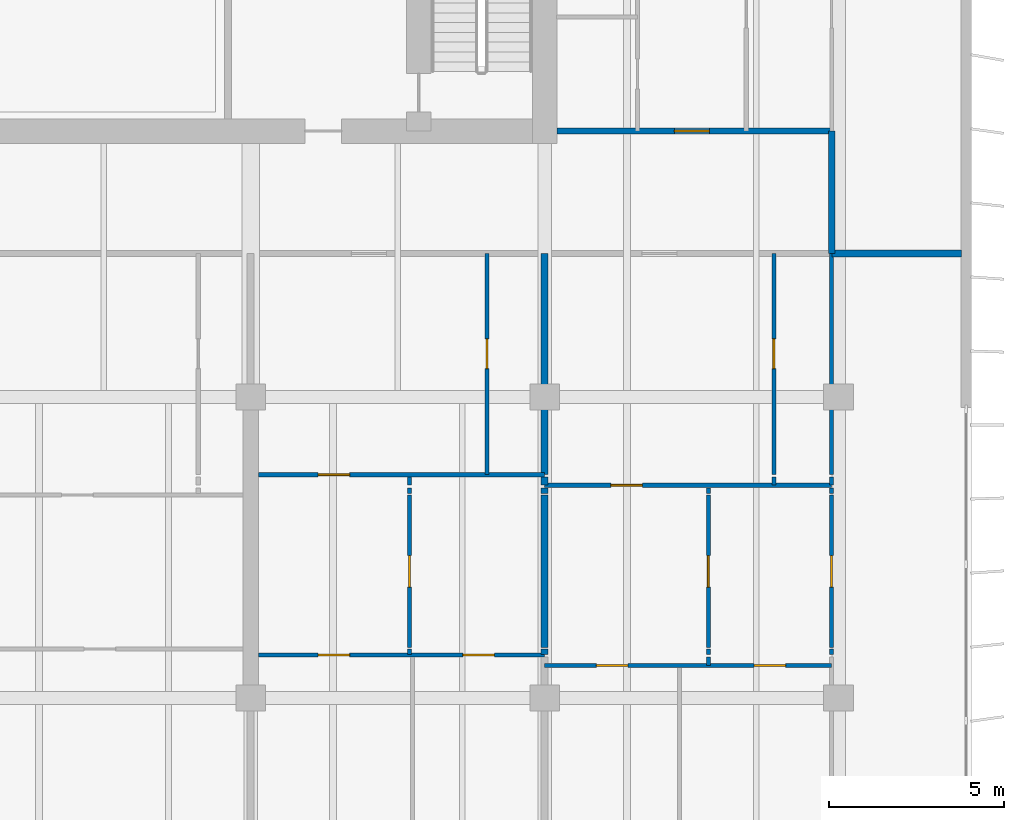
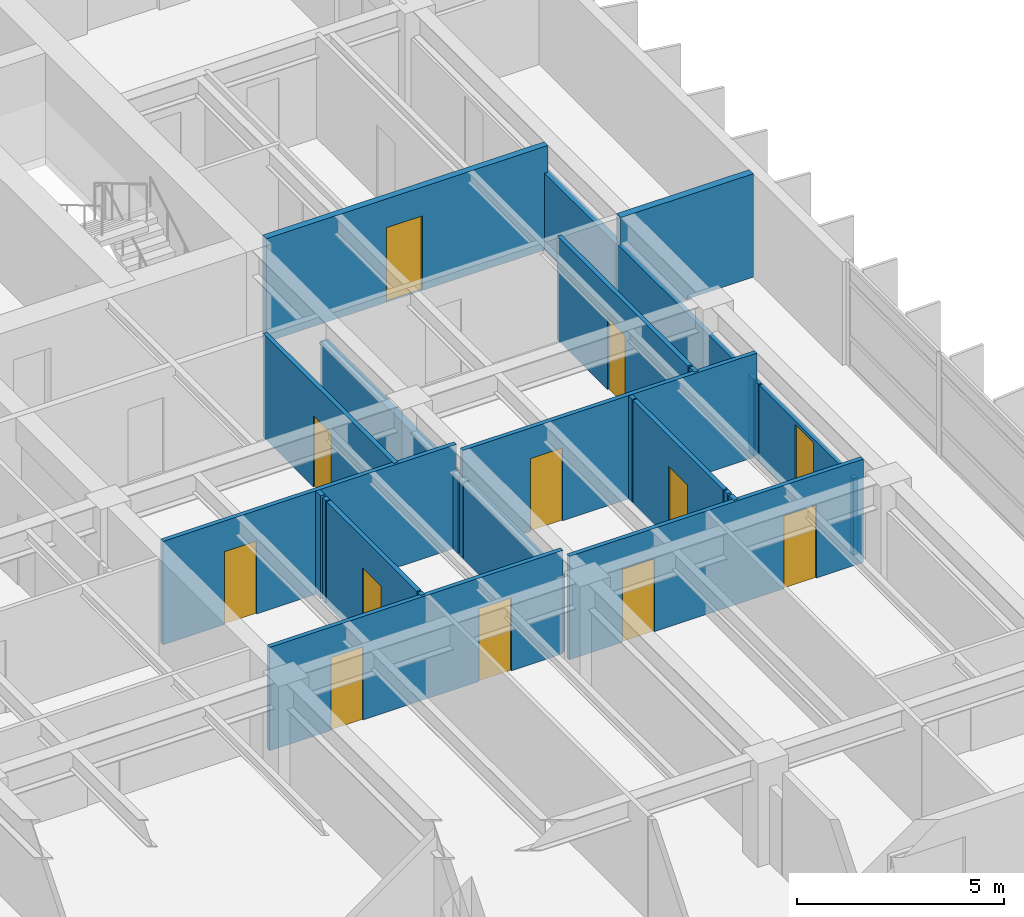
# One storey, part 12 of 19: 28 walls, 12 doors, 12 openings.
"""IFC4 building model written with IfcOpenShell, lengths in metres."""

from ifc_helpers import new_model, si_unit, direction, frame, frame_2d, origin, place, context, subcontext, project, spatial, rectangle, extrude, material, layer, layer_set, type_object, element, fill, save


model = new_model("IFC4")

# Units and contexts
model_context = context("Model", 3, precision=1e-05, world=origin(), true_north=direction((0.0, 1.0)))
body_context = subcontext(model_context, "Body", "Model", "MODEL_VIEW")
ifc_project = project(units=[si_unit("LENGTHUNIT", "METRE"), si_unit("AREAUNIT", "SQUARE_METRE"), si_unit("VOLUMEUNIT", "CUBIC_METRE"), si_unit("PLANEANGLEUNIT", "RADIAN"), si_unit("MASSUNIT", "GRAM", prefix="KILO")], contexts=[model_context])

# Site, building, storey
site_placement = place(None, origin())
site = spatial("IfcSite", under=ifc_project, at=site_placement, CompositionType="ELEMENT")
building_placement = place(site_placement, origin())
building = spatial("IfcBuilding", under=site, at=building_placement, Name="Caelmar Bay Residences", CompositionType="ELEMENT")
storey_placement = place(building_placement, frame((0.0, 0.0, 195.0)))
storey = spatial("IfcBuildingStorey", under=building, at=storey_placement, Name="L54", CompositionType="ELEMENT", Elevation=195.0)

# Wall
ifc_material_1 = material(Name="Double-stud acoustic fire-rated gypsum partition 180 mm")
ifc_layer_1 = layer(ifc_material_1, 0.179931640625)
ifc_layer_set_1 = layer_set([ifc_layer_1], Name="Double-stud acoustic fire-rated gypsum partition 180 mm")
wall_type_1 = type_object("IfcWallType", Name="W-COR-200", PredefinedType="PARTITIONING", material=ifc_layer_set_1)
wall_1_placement = place(storey_placement, frame((67.699951171875, 33.5048828125, 0.0), z_axis=(0.0, 0.0, 1.0), x_axis=(0.0, 1.0, 0.0)))
element("IfcWall", 1, at=wall_1_placement, inside=storey, type_object=wall_type_1, Name="L54 Partition Wall V097", PredefinedType="PARTITIONING", context=body_context, shape_type="SweptSolid", body=[
    extrude(rectangle(XDim=3.4951171875, YDim=0.179931640625, at=frame_2d((1.74755859375, 0.0))), origin(), (0.0, 0.0, 1.0), 2.262939453125),
])

# Wall, opening, door
wall_2_placement = place(storey_placement, frame((59.85498046875, 37.0, 0.0), z_axis=(0.0, 0.0, 1.0), x_axis=(1.0, 0.0, 0.0)))
wall_2 = element("IfcWall", 2, at=wall_2_placement, inside=storey, type_object=wall_type_1, Name="L54 Partition Wall H121", PredefinedType="PARTITIONING", context=body_context, shape_type="SweptSolid", body=[
    extrude(rectangle(XDim=7.844970703125, YDim=0.179931640625, at=frame_2d((3.92236328125, 0.0))), origin(), (0.0, 0.0, 1.0), 3.050048828125),
])
opening_1_placement = place(wall_2_placement, frame((3.34912109375, 0.0, 0.0)))
opening_1 = element("IfcOpeningElement", 3, at=opening_1_placement, cuts=wall_2, Name="Opening D-L54-167", PredefinedType="OPENING", context=body_context, shape_type="SweptSolid", body=[
    extrude(rectangle(XDim=1.0, YDim=2.199951171875, at=frame_2d((0.5, 1.10009765625))), frame((0.0, 0.099853515625, 0.0), z_axis=(0.0, -1.0, 0.0), x_axis=(1.0, 0.0, 0.0)), (0.0, 0.0, 1.0), 0.199951171875),
])
ifc_material_2 = material(Name="Fire-rated steel and walnut architectural door assembly", Category="steel")
ifc_layer_2 = layer(ifc_material_2, 0.050048828125)
ifc_layer_set_2 = layer_set([ifc_layer_2], Name="Fire-rated steel and walnut architectural door assembly")
door_type_1 = type_object("IfcDoorType", Name="D-UNIT-1000", OperationType="NOTDEFINED", PredefinedType="DOOR", material=ifc_layer_set_2)
door_1_placement = place(opening_1_placement, origin())
door_1 = element("IfcDoor", 4, at=door_1_placement, inside=storey, type_object=door_type_1, Name="L54 Residence EA Kitchen Door", OperationType="SINGLE_SWING_LEFT", OverallHeight=2.199951171875, OverallWidth=1.0, PredefinedType="DOOR", context=body_context, shape_type="SweptSolid", body=[
    extrude(rectangle(XDim=1.0, YDim=2.199951171875, at=frame_2d((0.5, 1.10009765625))), frame((0.0, 0.02490234375, 0.0), z_axis=(0.0, -1.0, 0.0), x_axis=(1.0, 0.0, 0.0)), (0.0, 0.0, 1.0), 0.050048828125),
])
fill(opening_1, door_1)

# Wall
ifc_material_3 = material(Name="Acoustic metal-stud gypsum partition 120 mm")
ifc_layer_3 = layer(ifc_material_3, 0.1201171875)
ifc_layer_set_3 = layer_set([ifc_layer_3], Name="Acoustic metal-stud gypsum partition 120 mm")
wall_type_2 = type_object("IfcWallType", Name="W-PRT-120", PredefinedType="PARTITIONING", material=ifc_layer_set_3)
wall_3_placement = place(storey_placement, frame((55.635986328125, 22.0400390625, 0.0), z_axis=(0.0, 0.0, 1.0), x_axis=(0.0, 1.0, 0.0)))
element("IfcWall", 5, at=wall_3_placement, inside=storey, type_object=wall_type_2, Name="L54 Partition Wall V066", PredefinedType="PARTITIONING", context=body_context, shape_type="SweptSolid", body=[
    extrude(rectangle(XDim=0.159912109375, YDim=0.1201171875, at=frame_2d((0.080078125, 0.0))), origin(), (0.0, 0.0, 1.0), 3.050048828125),
])

# Wall, opening, door
wall_4_placement = place(storey_placement, frame((55.635986328125, 22.239990234375, 0.0), z_axis=(0.0, 0.0, 1.0), x_axis=(0.0, 1.0, 0.0)))
wall_4 = element("IfcWall", 6, at=wall_4_placement, inside=storey, type_object=wall_type_2, Name="L54 Partition Wall V067", PredefinedType="PARTITIONING", context=body_context, shape_type="SweptSolid", body=[
    extrude(rectangle(XDim=4.360107421875, YDim=0.1201171875, at=frame_2d((2.18017578125, 0.0))), origin(), (0.0, 0.0, 1.0), 3.050048828125),
])
opening_2_placement = place(wall_4_placement, frame((1.72998046875, 0.0, 0.0)))
opening_2 = element("IfcOpeningElement", 7, at=opening_2_placement, cuts=wall_4, Name="Opening D-L54-147", PredefinedType="OPENING", context=body_context, shape_type="SweptSolid", body=[
    extrude(rectangle(XDim=0.89990234375, YDim=2.14990234375, at=frame_2d((0.449951171875, 1.074951171875))), frame((0.0, 0.070068359375, 0.0), z_axis=(0.0, -1.0, 0.0), x_axis=(1.0, 0.0, 0.0)), (0.0, 0.0, 1.0), 0.14013671875),
])
ifc_material_4 = material(Name="Solid walnut timber interior door leaf and frame", Category="wood")
ifc_layer_4 = layer(ifc_material_4, 0.050048828125)
ifc_layer_set_4 = layer_set([ifc_layer_4], Name="Solid walnut timber interior door leaf and frame")
door_type_2 = type_object("IfcDoorType", Name="D-ROOM-900", OperationType="NOTDEFINED", PredefinedType="DOOR", material=ifc_layer_set_4)
door_2_placement = place(opening_2_placement, origin())
door_2 = element("IfcDoor", 8, at=door_2_placement, inside=storey, type_object=door_type_2, Name="L54 Residence 04 Private Meeting Room Door", OperationType="SINGLE_SWING_LEFT", OverallHeight=2.14990234375, OverallWidth=0.89990234375, PredefinedType="DOOR", context=body_context, shape_type="SweptSolid", body=[
    extrude(rectangle(XDim=0.89990234375, YDim=2.14990234375, at=frame_2d((0.449951171875, 1.074951171875))), frame((0.0, 0.02490234375, 0.0), z_axis=(0.0, -1.0, 0.0), x_axis=(1.0, 0.0, 0.0)), (0.0, 0.0, 1.0), 0.050048828125),
])
fill(opening_2, door_2)

# Walls
wall_5_placement = place(storey_placement, frame((55.635986328125, 26.639892578125, 0.0), z_axis=(0.0, 0.0, 1.0), x_axis=(0.0, 1.0, 0.0)))
element("IfcWall", 9, at=wall_5_placement, inside=storey, type_object=wall_type_2, Name="L54 Partition Wall V068", PredefinedType="PARTITIONING", context=body_context, shape_type="SweptSolid", body=[
    extrude(rectangle(XDim=0.16015625, YDim=0.1201171875, at=frame_2d((0.080078125, 0.0))), origin(), (0.0, 0.0, 1.0), 3.050048828125),
])
wall_6_placement = place(storey_placement, frame((55.635986328125, 26.8798828125, 0.0), z_axis=(0.0, 0.0, 1.0), x_axis=(0.0, 1.0, 0.0)))
element("IfcWall", 10, at=wall_6_placement, inside=storey, type_object=wall_type_2, Name="L54 Partition Wall V069", PredefinedType="PARTITIONING", context=body_context, shape_type="SweptSolid", body=[
    extrude(rectangle(XDim=0.240234375, YDim=0.1201171875, at=frame_2d((0.1201171875, 0.0))), origin(), (0.0, 0.0, 1.0), 3.050048828125),
])

# Wall, opening, door
wall_7_placement = place(storey_placement, frame((57.85009765625, 27.179931640625, 0.0), z_axis=(0.0, 0.0, 1.0), x_axis=(0.0, 1.0, 0.0)))
wall_7 = element("IfcWall", 11, at=wall_7_placement, inside=storey, type_object=wall_type_2, Name="L54 Partition Wall V073", PredefinedType="PARTITIONING", context=body_context, shape_type="SweptSolid", body=[
    extrude(rectangle(XDim=6.320068359375, YDim=0.1201171875, at=frame_2d((3.16015625, 0.0))), origin(), (0.0, 0.0, 1.0), 3.050048828125),
])
opening_3_placement = place(wall_7_placement, frame((3.034912109375, 0.0, 0.0)))
opening_3 = element("IfcOpeningElement", 12, at=opening_3_placement, cuts=wall_7, Name="Opening D-L54-145", PredefinedType="OPENING", context=body_context, shape_type="SweptSolid", body=[
    extrude(rectangle(XDim=0.85009765625, YDim=2.10009765625, at=frame_2d((0.425048828125, 1.050048828125))), frame((0.0, 0.070068359375, 0.0), z_axis=(0.0, -1.0, 0.0), x_axis=(1.0, 0.0, 0.0)), (0.0, 0.0, 1.0), 0.14013671875),
])
ifc_layer_5 = layer(ifc_material_4, 0.050048828125)
ifc_layer_set_5 = layer_set([ifc_layer_5], Name="Solid walnut timber interior door leaf and frame")
door_type_3 = type_object("IfcDoorType", Name="D-BATH-850", OperationType="NOTDEFINED", PredefinedType="DOOR", material=ifc_layer_set_5)
door_3_placement = place(opening_3_placement, origin())
door_3 = element("IfcDoor", 13, at=door_3_placement, inside=storey, type_object=door_type_3, Name="L54 Residence 04 Bathroom Door", OperationType="SINGLE_SWING_LEFT", OverallHeight=2.10009765625, OverallWidth=0.85009765625, PredefinedType="DOOR", context=body_context, shape_type="SweptSolid", body=[
    extrude(rectangle(XDim=0.85009765625, YDim=2.10009765625, at=frame_2d((0.425048828125, 1.050048828125))), frame((0.0, 0.02490234375, 0.0), z_axis=(0.0, -1.0, 0.0), x_axis=(1.0, 0.0, 0.0)), (0.0, 0.0, 1.0), 0.050048828125),
])
fill(opening_3, door_3)

# Walls
wall_8_placement = place(storey_placement, frame((64.177978515625, 21.72998046875, 0.0), z_axis=(0.0, 0.0, 1.0), x_axis=(0.0, 1.0, 0.0)))
element("IfcWall", 14, at=wall_8_placement, inside=storey, type_object=wall_type_2, Name="L54 Partition Wall V084", PredefinedType="PARTITIONING", context=body_context, shape_type="SweptSolid", body=[
    extrude(rectangle(XDim=0.239990234375, YDim=0.1201171875, at=frame_2d((0.1201171875, 0.0))), origin(), (0.0, 0.0, 1.0), 3.050048828125),
])
wall_9_placement = place(storey_placement, frame((64.177978515625, 22.0400390625, 0.0), z_axis=(0.0, 0.0, 1.0), x_axis=(0.0, 1.0, 0.0)))
element("IfcWall", 15, at=wall_9_placement, inside=storey, type_object=wall_type_2, Name="L54 Partition Wall V085", PredefinedType="PARTITIONING", context=body_context, shape_type="SweptSolid", body=[
    extrude(rectangle(XDim=0.159912109375, YDim=0.1201171875, at=frame_2d((0.080078125, 0.0))), origin(), (0.0, 0.0, 1.0), 3.050048828125),
])

# Wall, opening, door
wall_10_placement = place(storey_placement, frame((64.177978515625, 22.239990234375, 0.0), z_axis=(0.0, 0.0, 1.0), x_axis=(0.0, 1.0, 0.0)))
wall_10 = element("IfcWall", 16, at=wall_10_placement, inside=storey, type_object=wall_type_2, Name="L54 Partition Wall V086", PredefinedType="PARTITIONING", context=body_context, shape_type="SweptSolid", body=[
    extrude(rectangle(XDim=4.360107421875, YDim=0.1201171875, at=frame_2d((2.18017578125, 0.0))), origin(), (0.0, 0.0, 1.0), 3.050048828125),
])
opening_4_placement = place(wall_10_placement, frame((1.72998046875, 0.0, 0.0)))
opening_4 = element("IfcOpeningElement", 17, at=opening_4_placement, cuts=wall_10, Name="Opening D-L54-153", PredefinedType="OPENING", context=body_context, shape_type="SweptSolid", body=[
    extrude(rectangle(XDim=0.89990234375, YDim=2.14990234375, at=frame_2d((0.449951171875, 1.074951171875))), frame((0.0, 0.070068359375, 0.0), z_axis=(0.0, -1.0, 0.0), x_axis=(1.0, 0.0, 0.0)), (0.0, 0.0, 1.0), 0.14013671875),
])
door_4_placement = place(opening_4_placement, origin())
door_4 = element("IfcDoor", 18, at=door_4_placement, inside=storey, type_object=door_type_2, Name="L54 Residence 05 Private Meeting Room Door", OperationType="SINGLE_SWING_LEFT", OverallHeight=2.14990234375, OverallWidth=0.89990234375, PredefinedType="DOOR", context=body_context, shape_type="SweptSolid", body=[
    extrude(rectangle(XDim=0.89990234375, YDim=2.14990234375, at=frame_2d((0.449951171875, 1.074951171875))), frame((0.0, 0.02490234375, 0.0), z_axis=(0.0, -1.0, 0.0), x_axis=(1.0, 0.0, 0.0)), (0.0, 0.0, 1.0), 0.050048828125),
])
fill(opening_4, door_4)

# Walls
wall_11_placement = place(storey_placement, frame((64.177978515625, 26.639892578125, 0.0), z_axis=(0.0, 0.0, 1.0), x_axis=(0.0, 1.0, 0.0)))
element("IfcWall", 19, at=wall_11_placement, inside=storey, type_object=wall_type_2, Name="L54 Partition Wall V087", PredefinedType="PARTITIONING", context=body_context, shape_type="SweptSolid", body=[
    extrude(rectangle(XDim=0.16015625, YDim=0.1201171875, at=frame_2d((0.080078125, 0.0))), origin(), (0.0, 0.0, 1.0), 3.050048828125),
])
wall_12_placement = place(storey_placement, frame((66.050048828125, 26.8798828125, 0.0), z_axis=(0.0, 0.0, 1.0), x_axis=(0.0, 1.0, 0.0)))
element("IfcWall", 20, at=wall_12_placement, inside=storey, type_object=wall_type_2, Name="L54 Partition Wall V089", PredefinedType="PARTITIONING", context=body_context, shape_type="SweptSolid", body=[
    extrude(rectangle(XDim=0.240234375, YDim=0.1201171875, at=frame_2d((0.1201171875, 0.0))), origin(), (0.0, 0.0, 1.0), 3.050048828125),
])

# Wall, opening, door
wall_13_placement = place(storey_placement, frame((66.050048828125, 27.179931640625, 0.0), z_axis=(0.0, 0.0, 1.0), x_axis=(0.0, 1.0, 0.0)))
wall_13 = element("IfcWall", 21, at=wall_13_placement, inside=storey, type_object=wall_type_2, Name="L54 Partition Wall V090", PredefinedType="PARTITIONING", context=body_context, shape_type="SweptSolid", body=[
    extrude(rectangle(XDim=6.320068359375, YDim=0.1201171875, at=frame_2d((3.16015625, 0.0))), origin(), (0.0, 0.0, 1.0), 3.050048828125),
])
opening_5_placement = place(wall_13_placement, frame((3.034912109375, 0.0, 0.0)))
opening_5 = element("IfcOpeningElement", 22, at=opening_5_placement, cuts=wall_13, Name="Opening D-L54-151", PredefinedType="OPENING", context=body_context, shape_type="SweptSolid", body=[
    extrude(rectangle(XDim=0.85009765625, YDim=2.10009765625, at=frame_2d((0.425048828125, 1.050048828125))), frame((0.0, 0.070068359375, 0.0), z_axis=(0.0, -1.0, 0.0), x_axis=(1.0, 0.0, 0.0)), (0.0, 0.0, 1.0), 0.14013671875),
])
door_5_placement = place(opening_5_placement, origin())
door_5 = element("IfcDoor", 23, at=door_5_placement, inside=storey, type_object=door_type_3, Name="L54 Residence 05 Bathroom Door", OperationType="SINGLE_SWING_LEFT", OverallHeight=2.10009765625, OverallWidth=0.85009765625, PredefinedType="DOOR", context=body_context, shape_type="SweptSolid", body=[
    extrude(rectangle(XDim=0.85009765625, YDim=2.10009765625, at=frame_2d((0.425048828125, 1.050048828125))), frame((0.0, 0.02490234375, 0.0), z_axis=(0.0, -1.0, 0.0), x_axis=(1.0, 0.0, 0.0)), (0.0, 0.0, 1.0), 0.050048828125),
])
fill(opening_5, door_5)

# Wall
wall_14_placement = place(storey_placement, frame((67.699951171875, 22.0400390625, 0.0), z_axis=(0.0, 0.0, 1.0), x_axis=(0.0, 1.0, 0.0)))
element("IfcWall", 24, at=wall_14_placement, inside=storey, type_object=wall_type_2, Name="L54 Partition Wall V092", PredefinedType="PARTITIONING", context=body_context, shape_type="SweptSolid", body=[
    extrude(rectangle(XDim=0.159912109375, YDim=0.1201171875, at=frame_2d((0.080078125, 0.0))), origin(), (0.0, 0.0, 1.0), 2.262939453125),
])

# Wall, opening, door
wall_15_placement = place(storey_placement, frame((67.699951171875, 22.239990234375, 0.0), z_axis=(0.0, 0.0, 1.0), x_axis=(0.0, 1.0, 0.0)))
wall_15 = element("IfcWall", 25, at=wall_15_placement, inside=storey, type_object=wall_type_2, Name="L54 Partition Wall V093", PredefinedType="PARTITIONING", context=body_context, shape_type="SweptSolid", body=[
    extrude(rectangle(XDim=4.360107421875, YDim=0.1201171875, at=frame_2d((2.18017578125, 0.0))), origin(), (0.0, 0.0, 1.0), 2.262939453125),
])
opening_6_placement = place(wall_15_placement, frame((1.72998046875, 0.0, 0.0)))
opening_6 = element("IfcOpeningElement", 26, at=opening_6_placement, cuts=wall_15, Name="Opening D-L54-158", PredefinedType="OPENING", context=body_context, shape_type="SweptSolid", body=[
    extrude(rectangle(XDim=0.89990234375, YDim=2.14990234375, at=frame_2d((0.449951171875, 1.074951171875))), frame((0.0, 0.070068359375, 0.0), z_axis=(0.0, -1.0, 0.0), x_axis=(1.0, 0.0, 0.0)), (0.0, 0.0, 1.0), 0.14013671875),
])
door_6_placement = place(opening_6_placement, origin())
door_6 = element("IfcDoor", 27, at=door_6_placement, inside=storey, type_object=door_type_2, Name="L54 Residence 05 Penthouse East Salon Door", OperationType="SINGLE_SWING_RIGHT", OverallHeight=2.14990234375, OverallWidth=0.89990234375, PredefinedType="DOOR", context=body_context, shape_type="SweptSolid", body=[
    extrude(rectangle(XDim=0.89990234375, YDim=2.14990234375, at=frame_2d((0.449951171875, 1.074951171875))), frame((0.0, 0.02490234375, 0.0), z_axis=(0.0, -1.0, 0.0), x_axis=(1.0, 0.0, 0.0)), (0.0, 0.0, 1.0), 0.050048828125),
])
fill(opening_6, door_6)

# Walls
wall_16_placement = place(storey_placement, frame((67.699951171875, 26.639892578125, 0.0), z_axis=(0.0, 0.0, 1.0), x_axis=(0.0, 1.0, 0.0)))
element("IfcWall", 28, at=wall_16_placement, inside=storey, type_object=wall_type_2, Name="L54 Partition Wall V094", PredefinedType="PARTITIONING", context=body_context, shape_type="SweptSolid", body=[
    extrude(rectangle(XDim=0.16015625, YDim=0.1201171875, at=frame_2d((0.080078125, 0.0))), origin(), (0.0, 0.0, 1.0), 2.262939453125),
])
wall_17_placement = place(storey_placement, frame((67.699951171875, 26.8798828125, 0.0), z_axis=(0.0, 0.0, 1.0), x_axis=(0.0, 1.0, 0.0)))
element("IfcWall", 29, at=wall_17_placement, inside=storey, type_object=wall_type_2, Name="L54 Partition Wall V095", PredefinedType="PARTITIONING", context=body_context, shape_type="SweptSolid", body=[
    extrude(rectangle(XDim=0.240234375, YDim=0.1201171875, at=frame_2d((0.1201171875, 0.0))), origin(), (0.0, 0.0, 1.0), 2.262939453125),
])
wall_18_placement = place(storey_placement, frame((67.699951171875, 27.179931640625, 0.0), z_axis=(0.0, 0.0, 1.0), x_axis=(0.0, 1.0, 0.0)))
element("IfcWall", 30, at=wall_18_placement, inside=storey, type_object=wall_type_2, Name="L54 Partition Wall V096", PredefinedType="PARTITIONING", context=body_context, shape_type="SweptSolid", body=[
    extrude(rectangle(XDim=6.320068359375, YDim=0.1201171875, at=frame_2d((3.16015625, 0.0))), origin(), (0.0, 0.0, 1.0), 2.262939453125),
])

# Wall, openings, doors
wall_19_placement = place(storey_placement, frame((59.5, 21.72998046875, 0.0), z_axis=(0.0, 0.0, 1.0), x_axis=(1.0, 0.0, 0.0)))
wall_19 = element("IfcWall", 31, at=wall_19_placement, inside=storey, type_object=wall_type_2, Name="L54 Partition Wall H103", PredefinedType="PARTITIONING", context=body_context, shape_type="SweptSolid", body=[
    extrude(rectangle(XDim=8.199951171875, YDim=0.1201171875, at=frame_2d((4.10009765625, 0.0))), origin(), (0.0, 0.0, 1.0), 3.050048828125),
])
opening_7_placement = place(wall_19_placement, frame((1.47705078125, 0.0, 0.0)))
opening_7 = element("IfcOpeningElement", 32, at=opening_7_placement, cuts=wall_19, Name="Opening D-L54-154", PredefinedType="OPENING", context=body_context, shape_type="SweptSolid", body=[
    extrude(rectangle(XDim=0.89990234375, YDim=2.14990234375, at=frame_2d((0.449951171875, 1.074951171875))), frame((0.0, 0.070068359375, 0.0), z_axis=(0.0, -1.0, 0.0), x_axis=(1.0, 0.0, 0.0)), (0.0, 0.0, 1.0), 0.14013671875),
])
opening_8_placement = place(wall_19_placement, frame((5.989013671875, 0.0, 0.0)))
opening_8 = element("IfcOpeningElement", 33, at=opening_8_placement, cuts=wall_19, Name="Opening D-L54-155", PredefinedType="OPENING", context=body_context, shape_type="SweptSolid", body=[
    extrude(rectangle(XDim=0.89990234375, YDim=2.14990234375, at=frame_2d((0.449951171875, 1.074951171875))), frame((0.0, 0.070068359375, 0.0), z_axis=(0.0, -1.0, 0.0), x_axis=(1.0, 0.0, 0.0)), (0.0, 0.0, 1.0), 0.14013671875),
])
door_7_placement = place(opening_7_placement, origin())
door_7 = element("IfcDoor", 34, at=door_7_placement, inside=storey, type_object=door_type_2, Name="L54 Residence 05 Living Room Door", OperationType="SINGLE_SWING_RIGHT", OverallHeight=2.14990234375, OverallWidth=0.89990234375, PredefinedType="DOOR", context=body_context, shape_type="SweptSolid", body=[
    extrude(rectangle(XDim=0.89990234375, YDim=2.14990234375, at=frame_2d((0.449951171875, 1.074951171875))), frame((0.0, 0.02490234375, 0.0), z_axis=(0.0, -1.0, 0.0), x_axis=(1.0, 0.0, 0.0)), (0.0, 0.0, 1.0), 0.050048828125),
])
fill(opening_7, door_7)
door_8_placement = place(opening_8_placement, origin())
door_8 = element("IfcDoor", 35, at=door_8_placement, inside=storey, type_object=door_type_2, Name="L54 Residence 05 Bedroom 2 Door", OperationType="SINGLE_SWING_LEFT", OverallHeight=2.14990234375, OverallWidth=0.89990234375, PredefinedType="DOOR", context=body_context, shape_type="SweptSolid", body=[
    extrude(rectangle(XDim=0.89990234375, YDim=2.14990234375, at=frame_2d((0.449951171875, 1.074951171875))), frame((0.0, 0.02490234375, 0.0), z_axis=(0.0, -1.0, 0.0), x_axis=(1.0, 0.0, 0.0)), (0.0, 0.0, 1.0), 0.050048828125),
])
fill(opening_8, door_8)

wall_20_placement = place(storey_placement, frame((51.320068359375, 22.030029296875, 0.0), z_axis=(0.0, 0.0, 1.0), x_axis=(1.0, 0.0, 0.0)))
wall_20 = element("IfcWall", 36, at=wall_20_placement, inside=storey, type_object=wall_type_2, Name="L54 Partition Wall H106", PredefinedType="PARTITIONING", context=body_context, shape_type="SweptSolid", body=[
    extrude(rectangle(XDim=8.179931640625, YDim=0.1201171875, at=frame_2d((4.08984375, 0.0))), origin(), (0.0, 0.0, 1.0), 3.050048828125),
])
opening_9_placement = place(wall_20_placement, frame((1.7080078125, 0.0, 0.0)))
opening_9 = element("IfcOpeningElement", 37, at=opening_9_placement, cuts=wall_20, Name="Opening D-L54-148", PredefinedType="OPENING", context=body_context, shape_type="SweptSolid", body=[
    extrude(rectangle(XDim=0.89990234375, YDim=2.14990234375, at=frame_2d((0.449951171875, 1.074951171875))), frame((0.0, 0.070068359375, 0.0), z_axis=(0.0, -1.0, 0.0), x_axis=(1.0, 0.0, 0.0)), (0.0, 0.0, 1.0), 0.14013671875),
])
opening_10_placement = place(wall_20_placement, frame((5.840087890625, 0.0, 0.0)))
opening_10 = element("IfcOpeningElement", 38, at=opening_10_placement, cuts=wall_20, Name="Opening D-L54-149", PredefinedType="OPENING", context=body_context, shape_type="SweptSolid", body=[
    extrude(rectangle(XDim=0.89990234375, YDim=2.14990234375, at=frame_2d((0.449951171875, 1.074951171875))), frame((0.0, 0.070068359375, 0.0), z_axis=(0.0, -1.0, 0.0), x_axis=(1.0, 0.0, 0.0)), (0.0, 0.0, 1.0), 0.14013671875),
])
door_9_placement = place(opening_9_placement, origin())
door_9 = element("IfcDoor", 39, at=door_9_placement, inside=storey, type_object=door_type_2, Name="L54 Residence 04 Living Room Door", OperationType="SINGLE_SWING_RIGHT", OverallHeight=2.14990234375, OverallWidth=0.89990234375, PredefinedType="DOOR", context=body_context, shape_type="SweptSolid", body=[
    extrude(rectangle(XDim=0.89990234375, YDim=2.14990234375, at=frame_2d((0.449951171875, 1.074951171875))), frame((0.0, 0.02490234375, 0.0), z_axis=(0.0, -1.0, 0.0), x_axis=(1.0, 0.0, 0.0)), (0.0, 0.0, 1.0), 0.050048828125),
])
fill(opening_9, door_9)
door_10_placement = place(opening_10_placement, origin())
door_10 = element("IfcDoor", 40, at=door_10_placement, inside=storey, type_object=door_type_2, Name="L54 Residence 04 Primary Bedroom Door", OperationType="SINGLE_SWING_LEFT", OverallHeight=2.14990234375, OverallWidth=0.89990234375, PredefinedType="DOOR", context=body_context, shape_type="SweptSolid", body=[
    extrude(rectangle(XDim=0.89990234375, YDim=2.14990234375, at=frame_2d((0.449951171875, 1.074951171875))), frame((0.0, 0.02490234375, 0.0), z_axis=(0.0, -1.0, 0.0), x_axis=(1.0, 0.0, 0.0)), (0.0, 0.0, 1.0), 0.050048828125),
])
fill(opening_10, door_10)

# Wall, opening, door
wall_21_placement = place(storey_placement, frame((59.5, 26.8798828125, 0.0), z_axis=(0.0, 0.0, 1.0), x_axis=(1.0, 0.0, 0.0)))
wall_21 = element("IfcWall", 41, at=wall_21_placement, inside=storey, type_object=wall_type_2, Name="L54 Partition Wall H114", PredefinedType="PARTITIONING", context=body_context, shape_type="SweptSolid", body=[
    extrude(rectangle(XDim=8.199951171875, YDim=0.1201171875, at=frame_2d((4.10009765625, 0.0))), origin(), (0.0, 0.0, 1.0), 3.050048828125),
])
opening_11_placement = place(wall_21_placement, frame((1.888916015625, 0.0, 0.0)))
opening_11 = element("IfcOpeningElement", 42, at=opening_11_placement, cuts=wall_21, Name="Opening D-L54-152", PredefinedType="OPENING", context=body_context, shape_type="SweptSolid", body=[
    extrude(rectangle(XDim=0.89990234375, YDim=2.14990234375, at=frame_2d((0.449951171875, 1.074951171875))), frame((0.0, 0.070068359375, 0.0), z_axis=(0.0, -1.0, 0.0), x_axis=(1.0, 0.0, 0.0)), (0.0, 0.0, 1.0), 0.14013671875),
])
door_11_placement = place(opening_11_placement, origin())
door_11 = element("IfcDoor", 43, at=door_11_placement, inside=storey, type_object=door_type_2, Name="L54 Residence 05 Kitchen Door", OperationType="SINGLE_SWING_RIGHT", OverallHeight=2.14990234375, OverallWidth=0.89990234375, PredefinedType="DOOR", context=body_context, shape_type="SweptSolid", body=[
    extrude(rectangle(XDim=0.89990234375, YDim=2.14990234375, at=frame_2d((0.449951171875, 1.074951171875))), frame((0.0, 0.02490234375, 0.0), z_axis=(0.0, -1.0, 0.0), x_axis=(1.0, 0.0, 0.0)), (0.0, 0.0, 1.0), 0.050048828125),
])
fill(opening_11, door_11)

wall_22_placement = place(storey_placement, frame((51.320068359375, 27.179931640625, 0.0), z_axis=(0.0, 0.0, 1.0), x_axis=(1.0, 0.0, 0.0)))
wall_22 = element("IfcWall", 44, at=wall_22_placement, inside=storey, type_object=wall_type_2, Name="L54 Partition Wall H116", PredefinedType="PARTITIONING", context=body_context, shape_type="SweptSolid", body=[
    extrude(rectangle(XDim=8.179931640625, YDim=0.1201171875, at=frame_2d((4.08984375, 0.0))), origin(), (0.0, 0.0, 1.0), 3.050048828125),
])
opening_12_placement = place(wall_22_placement, frame((1.7080078125, 0.0, 0.0)))
opening_12 = element("IfcOpeningElement", 45, at=opening_12_placement, cuts=wall_22, Name="Opening D-L54-146", PredefinedType="OPENING", context=body_context, shape_type="SweptSolid", body=[
    extrude(rectangle(XDim=0.89990234375, YDim=2.14990234375, at=frame_2d((0.449951171875, 1.074951171875))), frame((0.0, 0.070068359375, 0.0), z_axis=(0.0, -1.0, 0.0), x_axis=(1.0, 0.0, 0.0)), (0.0, 0.0, 1.0), 0.14013671875),
])
door_12_placement = place(opening_12_placement, origin())
door_12 = element("IfcDoor", 46, at=door_12_placement, inside=storey, type_object=door_type_2, Name="L54 Residence 04 Kitchen Door", OperationType="SINGLE_SWING_RIGHT", OverallHeight=2.14990234375, OverallWidth=0.89990234375, PredefinedType="DOOR", context=body_context, shape_type="SweptSolid", body=[
    extrude(rectangle(XDim=0.89990234375, YDim=2.14990234375, at=frame_2d((0.449951171875, 1.074951171875))), frame((0.0, 0.02490234375, 0.0), z_axis=(0.0, -1.0, 0.0), x_axis=(1.0, 0.0, 0.0)), (0.0, 0.0, 1.0), 0.050048828125),
])
fill(opening_12, door_12)

# Walls
ifc_material_5 = material(Name="Acoustic twin-stud fire-rated inter-tenancy partition 200 mm")
ifc_layer_6 = layer(ifc_material_5, 0.199951171875)
ifc_layer_set_6 = layer_set([ifc_layer_6], Name="Acoustic twin-stud fire-rated inter-tenancy partition 200 mm")
wall_type_3 = type_object("IfcWallType", Name="W-PTY-200", PredefinedType="PARTITIONING", material=ifc_layer_set_6)
wall_23_placement = place(storey_placement, frame((59.5, 22.0400390625, 0.0), z_axis=(0.0, 0.0, 1.0), x_axis=(0.0, 1.0, 0.0)))
element("IfcWall", 47, at=wall_23_placement, inside=storey, type_object=wall_type_3, Name="L54 Partition Wall V076", PredefinedType="PARTITIONING", context=body_context, shape_type="SweptSolid", body=[
    extrude(rectangle(XDim=0.159912109375, YDim=0.199951171875, at=frame_2d((0.080078125, 0.0))), origin(), (0.0, 0.0, 1.0), 2.262939453125),
])
wall_24_placement = place(storey_placement, frame((59.5, 22.239990234375, 0.0), z_axis=(0.0, 0.0, 1.0), x_axis=(0.0, 1.0, 0.0)))
element("IfcWall", 48, at=wall_24_placement, inside=storey, type_object=wall_type_3, Name="L54 Partition Wall V077", PredefinedType="PARTITIONING", context=body_context, shape_type="SweptSolid", body=[
    extrude(rectangle(XDim=4.360107421875, YDim=0.199951171875, at=frame_2d((2.18017578125, 0.0))), origin(), (0.0, 0.0, 1.0), 2.262939453125),
])
wall_25_placement = place(storey_placement, frame((59.5, 26.639892578125, 0.0), z_axis=(0.0, 0.0, 1.0), x_axis=(0.0, 1.0, 0.0)))
element("IfcWall", 49, at=wall_25_placement, inside=storey, type_object=wall_type_3, Name="L54 Partition Wall V078", PredefinedType="PARTITIONING", context=body_context, shape_type="SweptSolid", body=[
    extrude(rectangle(XDim=0.16015625, YDim=0.199951171875, at=frame_2d((0.080078125, 0.0))), origin(), (0.0, 0.0, 1.0), 2.262939453125),
])
wall_26_placement = place(storey_placement, frame((59.5, 26.8798828125, 0.0), z_axis=(0.0, 0.0, 1.0), x_axis=(0.0, 1.0, 0.0)))
element("IfcWall", 50, at=wall_26_placement, inside=storey, type_object=wall_type_3, Name="L54 Partition Wall V079", PredefinedType="PARTITIONING", context=body_context, shape_type="SweptSolid", body=[
    extrude(rectangle(XDim=0.240234375, YDim=0.199951171875, at=frame_2d((0.1201171875, 0.0))), origin(), (0.0, 0.0, 1.0), 2.262939453125),
])
wall_27_placement = place(storey_placement, frame((59.5, 27.179931640625, 0.0), z_axis=(0.0, 0.0, 1.0), x_axis=(0.0, 1.0, 0.0)))
element("IfcWall", 51, at=wall_27_placement, inside=storey, type_object=wall_type_3, Name="L54 Partition Wall V080", PredefinedType="PARTITIONING", context=body_context, shape_type="SweptSolid", body=[
    extrude(rectangle(XDim=6.320068359375, YDim=0.199951171875, at=frame_2d((3.16015625, 0.0))), origin(), (0.0, 0.0, 1.0), 2.262939453125),
])
wall_28_placement = place(storey_placement, frame((67.705078125, 33.5, 0.0), z_axis=(0.0, 0.0, 1.0), x_axis=(1.0, 0.0, 0.0)))
element("IfcWall", 52, at=wall_28_placement, inside=storey, type_object=wall_type_3, Name="L54 Partition Wall H119", PredefinedType="PARTITIONING", context=body_context, shape_type="SweptSolid", body=[
    extrude(rectangle(XDim=3.699951171875, YDim=0.199951171875, at=frame_2d((1.85009765625, 0.0))), origin(), (0.0, 0.0, 1.0), 3.050048828125),
])

save(model, "model.ifc")
